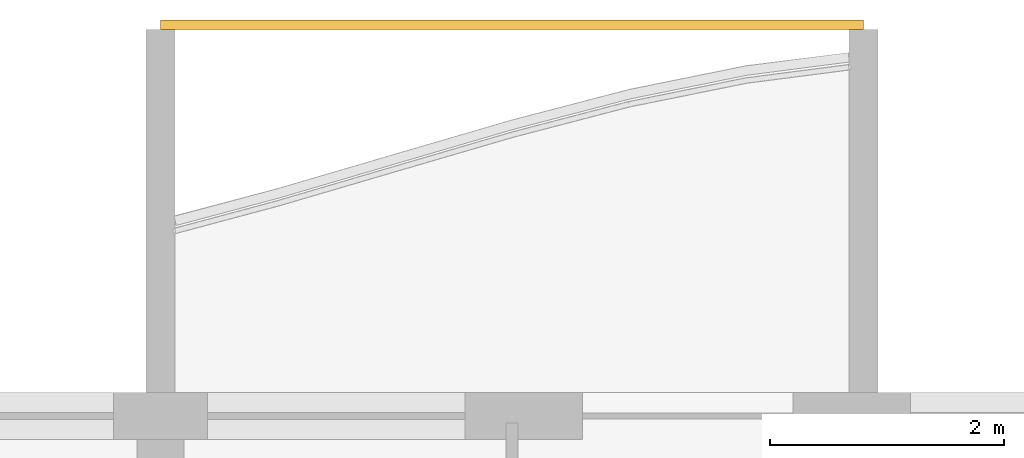
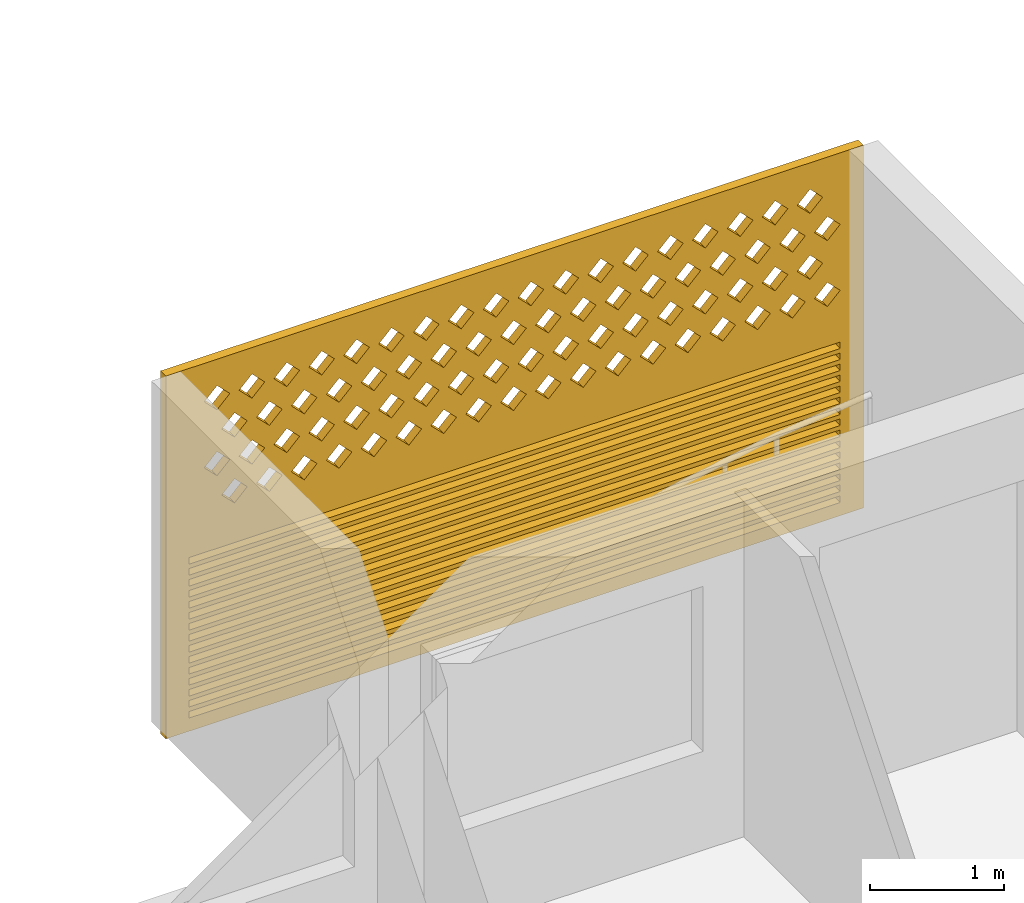
# One storey, part 25 of 38: 1 covering.
"""IFC4 building model written with IfcOpenShell, lengths in metres."""

from ifc_helpers import new_model, si_unit, direction, frame, origin, place, context, subcontext, project, spatial, polyline, outline, extrude, source, transform, mapped, material, material_profile, profile_set, type_object, element, save


model = new_model("IFC4")

# Units and contexts
model_context = context("Model", 3, precision=1e-05, world=origin(), true_north=direction((0.0, 1.0)))
body_context = subcontext(model_context, "Body", "Model", "MODEL_VIEW")
ifc_project = project(units=[si_unit("LENGTHUNIT", "METRE"), si_unit("AREAUNIT", "SQUARE_METRE"), si_unit("VOLUMEUNIT", "CUBIC_METRE"), si_unit("PLANEANGLEUNIT", "RADIAN"), si_unit("MASSUNIT", "GRAM", prefix="KILO")], contexts=[model_context])

# Site, building, storey
site_placement = place(None, origin())
site = spatial("IfcSite", under=ifc_project, at=site_placement, CompositionType="ELEMENT")
building_placement = place(site_placement, origin())
building = spatial("IfcBuilding", under=site, at=building_placement, Name="Poui Terraces", CompositionType="ELEMENT")
storey_placement = place(building_placement, frame((0.0, 0.0, 46.5)))
storey = spatial("IfcBuildingStorey", under=building, at=storey_placement, Name="L12", CompositionType="ELEMENT", Elevation=46.5)

# Covering
ifc_material = material(Name="Terracotta screen", Category="masonry")
ifc_material_profile = material_profile(ifc_material, outline(polyline([(-3.0, -1.64990234375), (3.0, -1.64990234375), (3.0, 1.64990234375), (-3.0, 1.64990234375), (-3.0, -1.64990234375)]), holes=[polyline([(-2.800048828125, 0.39990234375), (-2.68994140625, 0.2900390625), (-2.580078125, 0.39990234375), (-2.68994140625, 0.510009765625), (-2.800048828125, 0.39990234375)]), polyline([(-2.5, 0.39990234375), (-2.389892578125, 0.2900390625), (-2.280029296875, 0.39990234375), (-2.389892578125, 0.510009765625), (-2.5, 0.39990234375)]), polyline([(-2.199951171875, 0.39990234375), (-2.090087890625, 0.2900390625), (-1.97998046875, 0.39990234375), (-2.090087890625, 0.510009765625), (-2.199951171875, 0.39990234375)]), polyline([(-1.89990234375, 0.39990234375), (-1.7900390625, 0.2900390625), (-1.679931640625, 0.39990234375), (-1.7900390625, 0.510009765625), (-1.89990234375, 0.39990234375)]), polyline([(-1.60009765625, 0.39990234375), (-1.489990234375, 0.2900390625), (-1.3798828125, 0.39990234375), (-1.489990234375, 0.510009765625), (-1.60009765625, 0.39990234375)]), polyline([(-1.300048828125, 0.39990234375), (-1.18994140625, 0.2900390625), (-1.080078125, 0.39990234375), (-1.18994140625, 0.510009765625), (-1.300048828125, 0.39990234375)]), polyline([(-1.0, 0.39990234375), (-0.889892578125, 0.2900390625), (-0.780029296875, 0.39990234375), (-0.889892578125, 0.510009765625), (-1.0, 0.39990234375)]), polyline([(-0.699951171875, 0.39990234375), (-0.590087890625, 0.2900390625), (-0.47998046875, 0.39990234375), (-0.590087890625, 0.510009765625), (-0.699951171875, 0.39990234375)]), polyline([(-0.39990234375, 0.39990234375), (-0.2900390625, 0.2900390625), (-0.179931640625, 0.39990234375), (-0.2900390625, 0.510009765625), (-0.39990234375, 0.39990234375)]), polyline([(-0.10009765625, 0.39990234375), (0.010009765625, 0.2900390625), (0.1201171875, 0.39990234375), (0.010009765625, 0.510009765625), (-0.10009765625, 0.39990234375)]), polyline([(0.199951171875, 0.39990234375), (0.31005859375, 0.2900390625), (0.419921875, 0.39990234375), (0.31005859375, 0.510009765625), (0.199951171875, 0.39990234375)]), polyline([(0.5, 0.39990234375), (0.610107421875, 0.2900390625), (0.719970703125, 0.39990234375), (0.610107421875, 0.510009765625), (0.5, 0.39990234375)]), polyline([(0.800048828125, 0.39990234375), (0.909912109375, 0.2900390625), (1.02001953125, 0.39990234375), (0.909912109375, 0.510009765625), (0.800048828125, 0.39990234375)]), polyline([(1.10009765625, 0.39990234375), (1.2099609375, 0.2900390625), (1.320068359375, 0.39990234375), (1.2099609375, 0.510009765625), (1.10009765625, 0.39990234375)]), polyline([(1.39990234375, 0.39990234375), (1.510009765625, 0.2900390625), (1.6201171875, 0.39990234375), (1.510009765625, 0.510009765625), (1.39990234375, 0.39990234375)]), polyline([(1.699951171875, 0.39990234375), (1.81005859375, 0.2900390625), (1.919921875, 0.39990234375), (1.81005859375, 0.510009765625), (1.699951171875, 0.39990234375)]), polyline([(2.0, 0.39990234375), (2.110107421875, 0.2900390625), (2.219970703125, 0.39990234375), (2.110107421875, 0.510009765625), (2.0, 0.39990234375)]), polyline([(2.300048828125, 0.39990234375), (2.409912109375, 0.2900390625), (2.52001953125, 0.39990234375), (2.409912109375, 0.510009765625), (2.300048828125, 0.39990234375)]), polyline([(-2.64990234375, 0.699951171875), (-2.5400390625, 0.590087890625), (-2.429931640625, 0.699951171875), (-2.5400390625, 0.81005859375), (-2.64990234375, 0.699951171875)]), polyline([(-2.35009765625, 0.699951171875), (-2.239990234375, 0.590087890625), (-2.1298828125, 0.699951171875), (-2.239990234375, 0.81005859375), (-2.35009765625, 0.699951171875)]), polyline([(-2.050048828125, 0.699951171875), (-1.93994140625, 0.590087890625), (-1.830078125, 0.699951171875), (-1.93994140625, 0.81005859375), (-2.050048828125, 0.699951171875)]), polyline([(-1.75, 0.699951171875), (-1.639892578125, 0.590087890625), (-1.530029296875, 0.699951171875), (-1.639892578125, 0.81005859375), (-1.75, 0.699951171875)]), polyline([(-1.449951171875, 0.699951171875), (-1.340087890625, 0.590087890625), (-1.22998046875, 0.699951171875), (-1.340087890625, 0.81005859375), (-1.449951171875, 0.699951171875)]), polyline([(-1.14990234375, 0.699951171875), (-1.0400390625, 0.590087890625), (-0.929931640625, 0.699951171875), (-1.0400390625, 0.81005859375), (-1.14990234375, 0.699951171875)]), polyline([(-0.85009765625, 0.699951171875), (-0.739990234375, 0.590087890625), (-0.6298828125, 0.699951171875), (-0.739990234375, 0.81005859375), (-0.85009765625, 0.699951171875)]), polyline([(-0.550048828125, 0.699951171875), (-0.43994140625, 0.590087890625), (-0.330078125, 0.699951171875), (-0.43994140625, 0.81005859375), (-0.550048828125, 0.699951171875)]), polyline([(-0.25, 0.699951171875), (-0.139892578125, 0.590087890625), (-0.030029296875, 0.699951171875), (-0.139892578125, 0.81005859375), (-0.25, 0.699951171875)]), polyline([(0.050048828125, 0.699951171875), (0.159912109375, 0.590087890625), (0.27001953125, 0.699951171875), (0.159912109375, 0.81005859375), (0.050048828125, 0.699951171875)]), polyline([(0.35009765625, 0.699951171875), (0.4599609375, 0.590087890625), (0.570068359375, 0.699951171875), (0.4599609375, 0.81005859375), (0.35009765625, 0.699951171875)]), polyline([(0.64990234375, 0.699951171875), (0.760009765625, 0.590087890625), (0.8701171875, 0.699951171875), (0.760009765625, 0.81005859375), (0.64990234375, 0.699951171875)]), polyline([(0.949951171875, 0.699951171875), (1.06005859375, 0.590087890625), (1.169921875, 0.699951171875), (1.06005859375, 0.81005859375), (0.949951171875, 0.699951171875)]), polyline([(1.25, 0.699951171875), (1.360107421875, 0.590087890625), (1.469970703125, 0.699951171875), (1.360107421875, 0.81005859375), (1.25, 0.699951171875)]), polyline([(1.550048828125, 0.699951171875), (1.659912109375, 0.590087890625), (1.77001953125, 0.699951171875), (1.659912109375, 0.81005859375), (1.550048828125, 0.699951171875)]), polyline([(1.85009765625, 0.699951171875), (1.9599609375, 0.590087890625), (2.070068359375, 0.699951171875), (1.9599609375, 0.81005859375), (1.85009765625, 0.699951171875)]), polyline([(2.14990234375, 0.699951171875), (2.260009765625, 0.590087890625), (2.3701171875, 0.699951171875), (2.260009765625, 0.81005859375), (2.14990234375, 0.699951171875)]), polyline([(2.449951171875, 0.699951171875), (2.56005859375, 0.590087890625), (2.669921875, 0.699951171875), (2.56005859375, 0.81005859375), (2.449951171875, 0.699951171875)]), polyline([(-2.800048828125, 1.0), (-2.68994140625, 0.889892578125), (-2.580078125, 1.0), (-2.68994140625, 1.110107421875), (-2.800048828125, 1.0)]), polyline([(-2.5, 1.0), (-2.389892578125, 0.889892578125), (-2.280029296875, 1.0), (-2.389892578125, 1.110107421875), (-2.5, 1.0)]), polyline([(-2.199951171875, 1.0), (-2.090087890625, 0.889892578125), (-1.97998046875, 1.0), (-2.090087890625, 1.110107421875), (-2.199951171875, 1.0)]), polyline([(-1.89990234375, 1.0), (-1.7900390625, 0.889892578125), (-1.679931640625, 1.0), (-1.7900390625, 1.110107421875), (-1.89990234375, 1.0)]), polyline([(-1.60009765625, 1.0), (-1.489990234375, 0.889892578125), (-1.3798828125, 1.0), (-1.489990234375, 1.110107421875), (-1.60009765625, 1.0)]), polyline([(-1.300048828125, 1.0), (-1.18994140625, 0.889892578125), (-1.080078125, 1.0), (-1.18994140625, 1.110107421875), (-1.300048828125, 1.0)]), polyline([(-1.0, 1.0), (-0.889892578125, 0.889892578125), (-0.780029296875, 1.0), (-0.889892578125, 1.110107421875), (-1.0, 1.0)]), polyline([(-0.699951171875, 1.0), (-0.590087890625, 0.889892578125), (-0.47998046875, 1.0), (-0.590087890625, 1.110107421875), (-0.699951171875, 1.0)]), polyline([(-0.39990234375, 1.0), (-0.2900390625, 0.889892578125), (-0.179931640625, 1.0), (-0.2900390625, 1.110107421875), (-0.39990234375, 1.0)]), polyline([(-0.10009765625, 1.0), (0.010009765625, 0.889892578125), (0.1201171875, 1.0), (0.010009765625, 1.110107421875), (-0.10009765625, 1.0)]), polyline([(0.199951171875, 1.0), (0.31005859375, 0.889892578125), (0.419921875, 1.0), (0.31005859375, 1.110107421875), (0.199951171875, 1.0)]), polyline([(0.5, 1.0), (0.610107421875, 0.889892578125), (0.719970703125, 1.0), (0.610107421875, 1.110107421875), (0.5, 1.0)]), polyline([(0.800048828125, 1.0), (0.909912109375, 0.889892578125), (1.02001953125, 1.0), (0.909912109375, 1.110107421875), (0.800048828125, 1.0)]), polyline([(1.10009765625, 1.0), (1.2099609375, 0.889892578125), (1.320068359375, 1.0), (1.2099609375, 1.110107421875), (1.10009765625, 1.0)]), polyline([(1.39990234375, 1.0), (1.510009765625, 0.889892578125), (1.6201171875, 1.0), (1.510009765625, 1.110107421875), (1.39990234375, 1.0)]), polyline([(1.699951171875, 1.0), (1.81005859375, 0.889892578125), (1.919921875, 1.0), (1.81005859375, 1.110107421875), (1.699951171875, 1.0)]), polyline([(2.0, 1.0), (2.110107421875, 0.889892578125), (2.219970703125, 1.0), (2.110107421875, 1.110107421875), (2.0, 1.0)]), polyline([(2.300048828125, 1.0), (2.409912109375, 0.889892578125), (2.52001953125, 1.0), (2.409912109375, 1.110107421875), (2.300048828125, 1.0)]), polyline([(-2.64990234375, 1.300048828125), (-2.5400390625, 1.18994140625), (-2.429931640625, 1.300048828125), (-2.5400390625, 1.409912109375), (-2.64990234375, 1.300048828125)]), polyline([(-2.35009765625, 1.300048828125), (-2.239990234375, 1.18994140625), (-2.1298828125, 1.300048828125), (-2.239990234375, 1.409912109375), (-2.35009765625, 1.300048828125)]), polyline([(-2.050048828125, 1.300048828125), (-1.93994140625, 1.18994140625), (-1.830078125, 1.300048828125), (-1.93994140625, 1.409912109375), (-2.050048828125, 1.300048828125)]), polyline([(-1.75, 1.300048828125), (-1.639892578125, 1.18994140625), (-1.530029296875, 1.300048828125), (-1.639892578125, 1.409912109375), (-1.75, 1.300048828125)]), polyline([(-1.449951171875, 1.300048828125), (-1.340087890625, 1.18994140625), (-1.22998046875, 1.300048828125), (-1.340087890625, 1.409912109375), (-1.449951171875, 1.300048828125)]), polyline([(-1.14990234375, 1.300048828125), (-1.0400390625, 1.18994140625), (-0.929931640625, 1.300048828125), (-1.0400390625, 1.409912109375), (-1.14990234375, 1.300048828125)]), polyline([(-0.85009765625, 1.300048828125), (-0.739990234375, 1.18994140625), (-0.6298828125, 1.300048828125), (-0.739990234375, 1.409912109375), (-0.85009765625, 1.300048828125)]), polyline([(-0.550048828125, 1.300048828125), (-0.43994140625, 1.18994140625), (-0.330078125, 1.300048828125), (-0.43994140625, 1.409912109375), (-0.550048828125, 1.300048828125)]), polyline([(-0.25, 1.300048828125), (-0.139892578125, 1.18994140625), (-0.030029296875, 1.300048828125), (-0.139892578125, 1.409912109375), (-0.25, 1.300048828125)]), polyline([(0.050048828125, 1.300048828125), (0.159912109375, 1.18994140625), (0.27001953125, 1.300048828125), (0.159912109375, 1.409912109375), (0.050048828125, 1.300048828125)]), polyline([(0.35009765625, 1.300048828125), (0.4599609375, 1.18994140625), (0.570068359375, 1.300048828125), (0.4599609375, 1.409912109375), (0.35009765625, 1.300048828125)]), polyline([(0.64990234375, 1.300048828125), (0.760009765625, 1.18994140625), (0.8701171875, 1.300048828125), (0.760009765625, 1.409912109375), (0.64990234375, 1.300048828125)]), polyline([(0.949951171875, 1.300048828125), (1.06005859375, 1.18994140625), (1.169921875, 1.300048828125), (1.06005859375, 1.409912109375), (0.949951171875, 1.300048828125)]), polyline([(1.25, 1.300048828125), (1.360107421875, 1.18994140625), (1.469970703125, 1.300048828125), (1.360107421875, 1.409912109375), (1.25, 1.300048828125)]), polyline([(1.550048828125, 1.300048828125), (1.659912109375, 1.18994140625), (1.77001953125, 1.300048828125), (1.659912109375, 1.409912109375), (1.550048828125, 1.300048828125)]), polyline([(1.85009765625, 1.300048828125), (1.9599609375, 1.18994140625), (2.070068359375, 1.300048828125), (1.9599609375, 1.409912109375), (1.85009765625, 1.300048828125)]), polyline([(2.14990234375, 1.300048828125), (2.260009765625, 1.18994140625), (2.3701171875, 1.300048828125), (2.260009765625, 1.409912109375), (2.14990234375, 1.300048828125)]), polyline([(2.449951171875, 1.300048828125), (2.56005859375, 1.18994140625), (2.669921875, 1.300048828125), (2.56005859375, 1.409912109375), (2.449951171875, 1.300048828125)]), polyline([(-2.800048828125, -1.530029296875), (2.800048828125, -1.530029296875), (2.800048828125, -1.469970703125), (-2.800048828125, -1.469970703125), (-2.800048828125, -1.530029296875)]), polyline([(-2.800048828125, -1.429931640625), (2.800048828125, -1.429931640625), (2.800048828125, -1.3701171875), (-2.800048828125, -1.3701171875), (-2.800048828125, -1.429931640625)]), polyline([(-2.800048828125, -1.330078125), (2.800048828125, -1.330078125), (2.800048828125, -1.27001953125), (-2.800048828125, -1.27001953125), (-2.800048828125, -1.330078125)]), polyline([(-2.800048828125, -1.22998046875), (2.800048828125, -1.22998046875), (2.800048828125, -1.169921875), (-2.800048828125, -1.169921875), (-2.800048828125, -1.22998046875)]), polyline([(-2.800048828125, -1.1298828125), (2.800048828125, -1.1298828125), (2.800048828125, -1.070068359375), (-2.800048828125, -1.070068359375), (-2.800048828125, -1.1298828125)]), polyline([(-2.800048828125, -1.030029296875), (2.800048828125, -1.030029296875), (2.800048828125, -0.969970703125), (-2.800048828125, -0.969970703125), (-2.800048828125, -1.030029296875)]), polyline([(-2.800048828125, -0.929931640625), (2.800048828125, -0.929931640625), (2.800048828125, -0.8701171875), (-2.800048828125, -0.8701171875), (-2.800048828125, -0.929931640625)]), polyline([(-2.800048828125, -0.830078125), (2.800048828125, -0.830078125), (2.800048828125, -0.77001953125), (-2.800048828125, -0.77001953125), (-2.800048828125, -0.830078125)]), polyline([(-2.800048828125, -0.72998046875), (2.800048828125, -0.72998046875), (2.800048828125, -0.669921875), (-2.800048828125, -0.669921875), (-2.800048828125, -0.72998046875)]), polyline([(-2.800048828125, -0.6298828125), (2.800048828125, -0.6298828125), (2.800048828125, -0.570068359375), (-2.800048828125, -0.570068359375), (-2.800048828125, -0.6298828125)]), polyline([(-2.800048828125, -0.530029296875), (2.800048828125, -0.530029296875), (2.800048828125, -0.469970703125), (-2.800048828125, -0.469970703125), (-2.800048828125, -0.530029296875)]), polyline([(-2.800048828125, -0.429931640625), (2.800048828125, -0.429931640625), (2.800048828125, -0.3701171875), (-2.800048828125, -0.3701171875), (-2.800048828125, -0.429931640625)]), polyline([(-2.800048828125, -0.330078125), (2.800048828125, -0.330078125), (2.800048828125, -0.27001953125), (-2.800048828125, -0.27001953125), (-2.800048828125, -0.330078125)]), polyline([(-2.800048828125, -0.22998046875), (2.800048828125, -0.22998046875), (2.800048828125, -0.169921875), (-2.800048828125, -0.169921875), (-2.800048828125, -0.22998046875)]), polyline([(-2.800048828125, -0.1298828125), (2.800048828125, -0.1298828125), (2.800048828125, -0.070068359375), (-2.800048828125, -0.070068359375), (-2.800048828125, -0.1298828125)])]), Name="TERRACOTTA SCREEN AND JALOUSIE LOUVRE 6000X3300")
ifc_profile_set = profile_set([ifc_material_profile], Name="Terracotta screen")
covering_type = type_object("IfcCoveringType", Name="TERRACOTTA SCREEN AND JALOUSIE LOUVRE 6000X3300", PredefinedType="CLADDING", material=ifc_profile_set)
shared_shape = source(origin(), body_context, "Body", "SweptSolid", [
    extrude(outline(polyline([(-3.0, -1.64990234375), (3.0, -1.64990234375), (3.0, 1.64990234375), (-3.0, 1.64990234375), (-3.0, -1.64990234375)]), holes=[polyline([(-2.800048828125, 0.39990234375), (-2.68994140625, 0.2900390625), (-2.580078125, 0.39990234375), (-2.68994140625, 0.510009765625), (-2.800048828125, 0.39990234375)]), polyline([(-2.5, 0.39990234375), (-2.389892578125, 0.2900390625), (-2.280029296875, 0.39990234375), (-2.389892578125, 0.510009765625), (-2.5, 0.39990234375)]), polyline([(-2.199951171875, 0.39990234375), (-2.090087890625, 0.2900390625), (-1.97998046875, 0.39990234375), (-2.090087890625, 0.510009765625), (-2.199951171875, 0.39990234375)]), polyline([(-1.89990234375, 0.39990234375), (-1.7900390625, 0.2900390625), (-1.679931640625, 0.39990234375), (-1.7900390625, 0.510009765625), (-1.89990234375, 0.39990234375)]), polyline([(-1.60009765625, 0.39990234375), (-1.489990234375, 0.2900390625), (-1.3798828125, 0.39990234375), (-1.489990234375, 0.510009765625), (-1.60009765625, 0.39990234375)]), polyline([(-1.300048828125, 0.39990234375), (-1.18994140625, 0.2900390625), (-1.080078125, 0.39990234375), (-1.18994140625, 0.510009765625), (-1.300048828125, 0.39990234375)]), polyline([(-1.0, 0.39990234375), (-0.889892578125, 0.2900390625), (-0.780029296875, 0.39990234375), (-0.889892578125, 0.510009765625), (-1.0, 0.39990234375)]), polyline([(-0.699951171875, 0.39990234375), (-0.590087890625, 0.2900390625), (-0.47998046875, 0.39990234375), (-0.590087890625, 0.510009765625), (-0.699951171875, 0.39990234375)]), polyline([(-0.39990234375, 0.39990234375), (-0.2900390625, 0.2900390625), (-0.179931640625, 0.39990234375), (-0.2900390625, 0.510009765625), (-0.39990234375, 0.39990234375)]), polyline([(-0.10009765625, 0.39990234375), (0.010009765625, 0.2900390625), (0.1201171875, 0.39990234375), (0.010009765625, 0.510009765625), (-0.10009765625, 0.39990234375)]), polyline([(0.199951171875, 0.39990234375), (0.31005859375, 0.2900390625), (0.419921875, 0.39990234375), (0.31005859375, 0.510009765625), (0.199951171875, 0.39990234375)]), polyline([(0.5, 0.39990234375), (0.610107421875, 0.2900390625), (0.719970703125, 0.39990234375), (0.610107421875, 0.510009765625), (0.5, 0.39990234375)]), polyline([(0.800048828125, 0.39990234375), (0.909912109375, 0.2900390625), (1.02001953125, 0.39990234375), (0.909912109375, 0.510009765625), (0.800048828125, 0.39990234375)]), polyline([(1.10009765625, 0.39990234375), (1.2099609375, 0.2900390625), (1.320068359375, 0.39990234375), (1.2099609375, 0.510009765625), (1.10009765625, 0.39990234375)]), polyline([(1.39990234375, 0.39990234375), (1.510009765625, 0.2900390625), (1.6201171875, 0.39990234375), (1.510009765625, 0.510009765625), (1.39990234375, 0.39990234375)]), polyline([(1.699951171875, 0.39990234375), (1.81005859375, 0.2900390625), (1.919921875, 0.39990234375), (1.81005859375, 0.510009765625), (1.699951171875, 0.39990234375)]), polyline([(2.0, 0.39990234375), (2.110107421875, 0.2900390625), (2.219970703125, 0.39990234375), (2.110107421875, 0.510009765625), (2.0, 0.39990234375)]), polyline([(2.300048828125, 0.39990234375), (2.409912109375, 0.2900390625), (2.52001953125, 0.39990234375), (2.409912109375, 0.510009765625), (2.300048828125, 0.39990234375)]), polyline([(-2.64990234375, 0.699951171875), (-2.5400390625, 0.590087890625), (-2.429931640625, 0.699951171875), (-2.5400390625, 0.81005859375), (-2.64990234375, 0.699951171875)]), polyline([(-2.35009765625, 0.699951171875), (-2.239990234375, 0.590087890625), (-2.1298828125, 0.699951171875), (-2.239990234375, 0.81005859375), (-2.35009765625, 0.699951171875)]), polyline([(-2.050048828125, 0.699951171875), (-1.93994140625, 0.590087890625), (-1.830078125, 0.699951171875), (-1.93994140625, 0.81005859375), (-2.050048828125, 0.699951171875)]), polyline([(-1.75, 0.699951171875), (-1.639892578125, 0.590087890625), (-1.530029296875, 0.699951171875), (-1.639892578125, 0.81005859375), (-1.75, 0.699951171875)]), polyline([(-1.449951171875, 0.699951171875), (-1.340087890625, 0.590087890625), (-1.22998046875, 0.699951171875), (-1.340087890625, 0.81005859375), (-1.449951171875, 0.699951171875)]), polyline([(-1.14990234375, 0.699951171875), (-1.0400390625, 0.590087890625), (-0.929931640625, 0.699951171875), (-1.0400390625, 0.81005859375), (-1.14990234375, 0.699951171875)]), polyline([(-0.85009765625, 0.699951171875), (-0.739990234375, 0.590087890625), (-0.6298828125, 0.699951171875), (-0.739990234375, 0.81005859375), (-0.85009765625, 0.699951171875)]), polyline([(-0.550048828125, 0.699951171875), (-0.43994140625, 0.590087890625), (-0.330078125, 0.699951171875), (-0.43994140625, 0.81005859375), (-0.550048828125, 0.699951171875)]), polyline([(-0.25, 0.699951171875), (-0.139892578125, 0.590087890625), (-0.030029296875, 0.699951171875), (-0.139892578125, 0.81005859375), (-0.25, 0.699951171875)]), polyline([(0.050048828125, 0.699951171875), (0.159912109375, 0.590087890625), (0.27001953125, 0.699951171875), (0.159912109375, 0.81005859375), (0.050048828125, 0.699951171875)]), polyline([(0.35009765625, 0.699951171875), (0.4599609375, 0.590087890625), (0.570068359375, 0.699951171875), (0.4599609375, 0.81005859375), (0.35009765625, 0.699951171875)]), polyline([(0.64990234375, 0.699951171875), (0.760009765625, 0.590087890625), (0.8701171875, 0.699951171875), (0.760009765625, 0.81005859375), (0.64990234375, 0.699951171875)]), polyline([(0.949951171875, 0.699951171875), (1.06005859375, 0.590087890625), (1.169921875, 0.699951171875), (1.06005859375, 0.81005859375), (0.949951171875, 0.699951171875)]), polyline([(1.25, 0.699951171875), (1.360107421875, 0.590087890625), (1.469970703125, 0.699951171875), (1.360107421875, 0.81005859375), (1.25, 0.699951171875)]), polyline([(1.550048828125, 0.699951171875), (1.659912109375, 0.590087890625), (1.77001953125, 0.699951171875), (1.659912109375, 0.81005859375), (1.550048828125, 0.699951171875)]), polyline([(1.85009765625, 0.699951171875), (1.9599609375, 0.590087890625), (2.070068359375, 0.699951171875), (1.9599609375, 0.81005859375), (1.85009765625, 0.699951171875)]), polyline([(2.14990234375, 0.699951171875), (2.260009765625, 0.590087890625), (2.3701171875, 0.699951171875), (2.260009765625, 0.81005859375), (2.14990234375, 0.699951171875)]), polyline([(2.449951171875, 0.699951171875), (2.56005859375, 0.590087890625), (2.669921875, 0.699951171875), (2.56005859375, 0.81005859375), (2.449951171875, 0.699951171875)]), polyline([(-2.800048828125, 1.0), (-2.68994140625, 0.889892578125), (-2.580078125, 1.0), (-2.68994140625, 1.110107421875), (-2.800048828125, 1.0)]), polyline([(-2.5, 1.0), (-2.389892578125, 0.889892578125), (-2.280029296875, 1.0), (-2.389892578125, 1.110107421875), (-2.5, 1.0)]), polyline([(-2.199951171875, 1.0), (-2.090087890625, 0.889892578125), (-1.97998046875, 1.0), (-2.090087890625, 1.110107421875), (-2.199951171875, 1.0)]), polyline([(-1.89990234375, 1.0), (-1.7900390625, 0.889892578125), (-1.679931640625, 1.0), (-1.7900390625, 1.110107421875), (-1.89990234375, 1.0)]), polyline([(-1.60009765625, 1.0), (-1.489990234375, 0.889892578125), (-1.3798828125, 1.0), (-1.489990234375, 1.110107421875), (-1.60009765625, 1.0)]), polyline([(-1.300048828125, 1.0), (-1.18994140625, 0.889892578125), (-1.080078125, 1.0), (-1.18994140625, 1.110107421875), (-1.300048828125, 1.0)]), polyline([(-1.0, 1.0), (-0.889892578125, 0.889892578125), (-0.780029296875, 1.0), (-0.889892578125, 1.110107421875), (-1.0, 1.0)]), polyline([(-0.699951171875, 1.0), (-0.590087890625, 0.889892578125), (-0.47998046875, 1.0), (-0.590087890625, 1.110107421875), (-0.699951171875, 1.0)]), polyline([(-0.39990234375, 1.0), (-0.2900390625, 0.889892578125), (-0.179931640625, 1.0), (-0.2900390625, 1.110107421875), (-0.39990234375, 1.0)]), polyline([(-0.10009765625, 1.0), (0.010009765625, 0.889892578125), (0.1201171875, 1.0), (0.010009765625, 1.110107421875), (-0.10009765625, 1.0)]), polyline([(0.199951171875, 1.0), (0.31005859375, 0.889892578125), (0.419921875, 1.0), (0.31005859375, 1.110107421875), (0.199951171875, 1.0)]), polyline([(0.5, 1.0), (0.610107421875, 0.889892578125), (0.719970703125, 1.0), (0.610107421875, 1.110107421875), (0.5, 1.0)]), polyline([(0.800048828125, 1.0), (0.909912109375, 0.889892578125), (1.02001953125, 1.0), (0.909912109375, 1.110107421875), (0.800048828125, 1.0)]), polyline([(1.10009765625, 1.0), (1.2099609375, 0.889892578125), (1.320068359375, 1.0), (1.2099609375, 1.110107421875), (1.10009765625, 1.0)]), polyline([(1.39990234375, 1.0), (1.510009765625, 0.889892578125), (1.6201171875, 1.0), (1.510009765625, 1.110107421875), (1.39990234375, 1.0)]), polyline([(1.699951171875, 1.0), (1.81005859375, 0.889892578125), (1.919921875, 1.0), (1.81005859375, 1.110107421875), (1.699951171875, 1.0)]), polyline([(2.0, 1.0), (2.110107421875, 0.889892578125), (2.219970703125, 1.0), (2.110107421875, 1.110107421875), (2.0, 1.0)]), polyline([(2.300048828125, 1.0), (2.409912109375, 0.889892578125), (2.52001953125, 1.0), (2.409912109375, 1.110107421875), (2.300048828125, 1.0)]), polyline([(-2.64990234375, 1.300048828125), (-2.5400390625, 1.18994140625), (-2.429931640625, 1.300048828125), (-2.5400390625, 1.409912109375), (-2.64990234375, 1.300048828125)]), polyline([(-2.35009765625, 1.300048828125), (-2.239990234375, 1.18994140625), (-2.1298828125, 1.300048828125), (-2.239990234375, 1.409912109375), (-2.35009765625, 1.300048828125)]), polyline([(-2.050048828125, 1.300048828125), (-1.93994140625, 1.18994140625), (-1.830078125, 1.300048828125), (-1.93994140625, 1.409912109375), (-2.050048828125, 1.300048828125)]), polyline([(-1.75, 1.300048828125), (-1.639892578125, 1.18994140625), (-1.530029296875, 1.300048828125), (-1.639892578125, 1.409912109375), (-1.75, 1.300048828125)]), polyline([(-1.449951171875, 1.300048828125), (-1.340087890625, 1.18994140625), (-1.22998046875, 1.300048828125), (-1.340087890625, 1.409912109375), (-1.449951171875, 1.300048828125)]), polyline([(-1.14990234375, 1.300048828125), (-1.0400390625, 1.18994140625), (-0.929931640625, 1.300048828125), (-1.0400390625, 1.409912109375), (-1.14990234375, 1.300048828125)]), polyline([(-0.85009765625, 1.300048828125), (-0.739990234375, 1.18994140625), (-0.6298828125, 1.300048828125), (-0.739990234375, 1.409912109375), (-0.85009765625, 1.300048828125)]), polyline([(-0.550048828125, 1.300048828125), (-0.43994140625, 1.18994140625), (-0.330078125, 1.300048828125), (-0.43994140625, 1.409912109375), (-0.550048828125, 1.300048828125)]), polyline([(-0.25, 1.300048828125), (-0.139892578125, 1.18994140625), (-0.030029296875, 1.300048828125), (-0.139892578125, 1.409912109375), (-0.25, 1.300048828125)]), polyline([(0.050048828125, 1.300048828125), (0.159912109375, 1.18994140625), (0.27001953125, 1.300048828125), (0.159912109375, 1.409912109375), (0.050048828125, 1.300048828125)]), polyline([(0.35009765625, 1.300048828125), (0.4599609375, 1.18994140625), (0.570068359375, 1.300048828125), (0.4599609375, 1.409912109375), (0.35009765625, 1.300048828125)]), polyline([(0.64990234375, 1.300048828125), (0.760009765625, 1.18994140625), (0.8701171875, 1.300048828125), (0.760009765625, 1.409912109375), (0.64990234375, 1.300048828125)]), polyline([(0.949951171875, 1.300048828125), (1.06005859375, 1.18994140625), (1.169921875, 1.300048828125), (1.06005859375, 1.409912109375), (0.949951171875, 1.300048828125)]), polyline([(1.25, 1.300048828125), (1.360107421875, 1.18994140625), (1.469970703125, 1.300048828125), (1.360107421875, 1.409912109375), (1.25, 1.300048828125)]), polyline([(1.550048828125, 1.300048828125), (1.659912109375, 1.18994140625), (1.77001953125, 1.300048828125), (1.659912109375, 1.409912109375), (1.550048828125, 1.300048828125)]), polyline([(1.85009765625, 1.300048828125), (1.9599609375, 1.18994140625), (2.070068359375, 1.300048828125), (1.9599609375, 1.409912109375), (1.85009765625, 1.300048828125)]), polyline([(2.14990234375, 1.300048828125), (2.260009765625, 1.18994140625), (2.3701171875, 1.300048828125), (2.260009765625, 1.409912109375), (2.14990234375, 1.300048828125)]), polyline([(2.449951171875, 1.300048828125), (2.56005859375, 1.18994140625), (2.669921875, 1.300048828125), (2.56005859375, 1.409912109375), (2.449951171875, 1.300048828125)]), polyline([(-2.800048828125, -1.530029296875), (2.800048828125, -1.530029296875), (2.800048828125, -1.469970703125), (-2.800048828125, -1.469970703125), (-2.800048828125, -1.530029296875)]), polyline([(-2.800048828125, -1.429931640625), (2.800048828125, -1.429931640625), (2.800048828125, -1.3701171875), (-2.800048828125, -1.3701171875), (-2.800048828125, -1.429931640625)]), polyline([(-2.800048828125, -1.330078125), (2.800048828125, -1.330078125), (2.800048828125, -1.27001953125), (-2.800048828125, -1.27001953125), (-2.800048828125, -1.330078125)]), polyline([(-2.800048828125, -1.22998046875), (2.800048828125, -1.22998046875), (2.800048828125, -1.169921875), (-2.800048828125, -1.169921875), (-2.800048828125, -1.22998046875)]), polyline([(-2.800048828125, -1.1298828125), (2.800048828125, -1.1298828125), (2.800048828125, -1.070068359375), (-2.800048828125, -1.070068359375), (-2.800048828125, -1.1298828125)]), polyline([(-2.800048828125, -1.030029296875), (2.800048828125, -1.030029296875), (2.800048828125, -0.969970703125), (-2.800048828125, -0.969970703125), (-2.800048828125, -1.030029296875)]), polyline([(-2.800048828125, -0.929931640625), (2.800048828125, -0.929931640625), (2.800048828125, -0.8701171875), (-2.800048828125, -0.8701171875), (-2.800048828125, -0.929931640625)]), polyline([(-2.800048828125, -0.830078125), (2.800048828125, -0.830078125), (2.800048828125, -0.77001953125), (-2.800048828125, -0.77001953125), (-2.800048828125, -0.830078125)]), polyline([(-2.800048828125, -0.72998046875), (2.800048828125, -0.72998046875), (2.800048828125, -0.669921875), (-2.800048828125, -0.669921875), (-2.800048828125, -0.72998046875)]), polyline([(-2.800048828125, -0.6298828125), (2.800048828125, -0.6298828125), (2.800048828125, -0.570068359375), (-2.800048828125, -0.570068359375), (-2.800048828125, -0.6298828125)]), polyline([(-2.800048828125, -0.530029296875), (2.800048828125, -0.530029296875), (2.800048828125, -0.469970703125), (-2.800048828125, -0.469970703125), (-2.800048828125, -0.530029296875)]), polyline([(-2.800048828125, -0.429931640625), (2.800048828125, -0.429931640625), (2.800048828125, -0.3701171875), (-2.800048828125, -0.3701171875), (-2.800048828125, -0.429931640625)]), polyline([(-2.800048828125, -0.330078125), (2.800048828125, -0.330078125), (2.800048828125, -0.27001953125), (-2.800048828125, -0.27001953125), (-2.800048828125, -0.330078125)]), polyline([(-2.800048828125, -0.22998046875), (2.800048828125, -0.22998046875), (2.800048828125, -0.169921875), (-2.800048828125, -0.169921875), (-2.800048828125, -0.22998046875)]), polyline([(-2.800048828125, -0.1298828125), (2.800048828125, -0.1298828125), (2.800048828125, -0.070068359375), (-2.800048828125, -0.070068359375), (-2.800048828125, -0.1298828125)])]), origin(), (0.0, 0.0, 1.0), 0.079833984375),
])
covering_placement = place(storey_placement, frame((33.0, 48.10009765625, 1.449951171875), z_axis=(0.0, 1.0, 0.0), x_axis=(-1.0, 0.0, 0.0)))
element("IfcCovering", 1, at=covering_placement, inside=storey, type_object=covering_type, Name="SOLAR SCREEN AND JALOUSIE LOUVRE", PredefinedType="CLADDING", context=body_context, shape_type="MappedRepresentation", body=[
    mapped(shared_shape, transform((0.0, 0.0, 0.0))),
])

save(model, "model.ifc")
